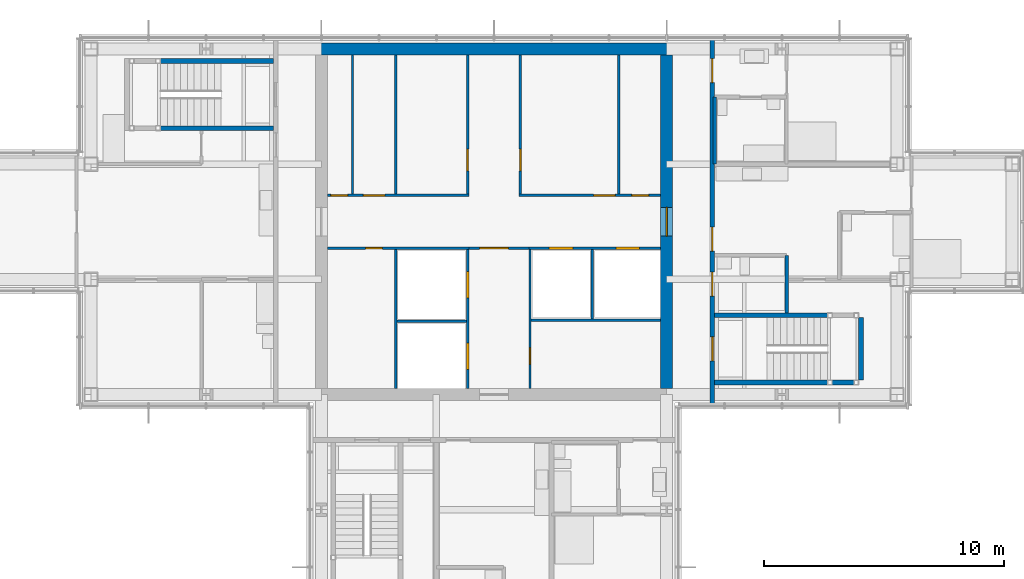
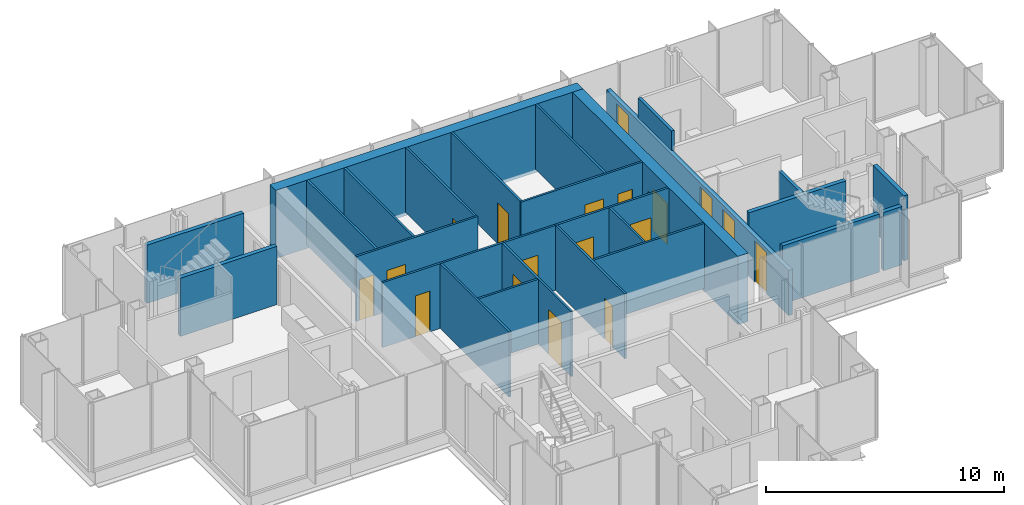
# One storey, part 11 of 15: 27 walls, 18 doors, 18 openings.
"""IFC4 building model written with IfcOpenShell, lengths in metres."""

from ifc_helpers import new_model, si_unit, direction, frame, frame_2d, origin, place, context, subcontext, project, spatial, rectangle, extrude, material, layer, layer_set, type_object, element, fill, save


model = new_model("IFC4")

# Units and contexts
model_context = context("Model", 3, precision=1e-05, world=origin(), true_north=direction((0.0, 1.0)))
body_context = subcontext(model_context, "Body", "Model", "MODEL_VIEW")
ifc_project = project(units=[si_unit("LENGTHUNIT", "METRE"), si_unit("AREAUNIT", "SQUARE_METRE"), si_unit("VOLUMEUNIT", "CUBIC_METRE"), si_unit("PLANEANGLEUNIT", "RADIAN"), si_unit("MASSUNIT", "GRAM", prefix="KILO")], contexts=[model_context])

# Site, building, storey
site_placement = place(None, origin())
site = spatial("IfcSite", under=ifc_project, at=site_placement, CompositionType="ELEMENT")
building_placement = place(site_placement, origin())
building = spatial("IfcBuilding", under=site, at=building_placement, Name="Kvirike Care Tower", CompositionType="ELEMENT")
storey_placement = place(building_placement, frame((0.0, 0.0, 219.0)))
storey = spatial("IfcBuildingStorey", under=building, at=storey_placement, Name="L60", CompositionType="ELEMENT", Elevation=219.0)

# Walls
ifc_material_1 = material(Name="Moisture-resistant board partition", Category="gypsum")
ifc_layer_1 = layer(ifc_material_1, 0.14990234375)
ifc_layer_set_1 = layer_set([ifc_layer_1], Name="BATHROOM WALL 150")
wall_type_1 = type_object("IfcWallType", Name="BATHROOM WALL 150", PredefinedType="PARTITIONING", material=ifc_layer_set_1)
wall_1_placement = place(storey_placement, frame((33.800048828125, 32.199951171875, 0.0), z_axis=(0.0, 0.0, 1.0), x_axis=(0.0, 1.0, 0.0)))
element("IfcWall", 1, at=wall_1_placement, inside=storey, type_object=wall_type_1, Name="Bathroom Wall 150 L60", PredefinedType="PARTITIONING", context=body_context, shape_type="SweptSolid", body=[
    extrude(rectangle(XDim=2.400146484375, YDim=0.14990234375, at=frame_2d((1.2001953125, 0.0))), origin(), (0.0, 0.0, 1.0), 2.550048828125),
])
wall_2_placement = place(storey_placement, frame((30.800048828125, 38.39990234375, 0.0), z_axis=(0.0, 0.0, 1.0), x_axis=(0.0, 1.0, 0.0)))
element("IfcWall", 2, at=wall_2_placement, inside=storey, type_object=wall_type_1, Name="Bathroom Wall 150 L60", PredefinedType="PARTITIONING", context=body_context, shape_type="SweptSolid", body=[
    extrude(rectangle(XDim=2.800048828125, YDim=0.14990234375, at=frame_2d((1.39990234375, 0.0))), origin(), (0.0, 0.0, 1.0), 3.330078125),
])
ifc_material_2 = material(Name="Concrete C40/50", Category="concrete")
ifc_layer_2 = layer(ifc_material_2, 0.5)
ifc_layer_set_2 = layer_set([ifc_layer_2], Name="CORE WALL 500 C40-50")
wall_type_2 = type_object("IfcWallType", Name="CORE WALL 500 C40-50", PredefinedType="SHEAR", material=ifc_layer_set_2)
wall_3_placement = place(storey_placement, frame((29.050048828125, 43.199951171875, -0.169921875), z_axis=(0.0, 0.0, 1.0), x_axis=(-1.0, 0.0, 0.0)))
element("IfcWall", 3, at=wall_3_placement, inside=storey, type_object=wall_type_2, Name="Core wall N L60", PredefinedType="SHEAR", context=body_context, shape_type="SweptSolid", body=[
    extrude(rectangle(XDim=14.900146484375, YDim=0.5, at=frame_2d((7.4501953125, 0.0))), origin(), (0.0, 0.0, 1.0), 3.5),
])

# Wall, opening, door
wall_4_placement = place(storey_placement, frame((28.800048828125, 29.050048828125, -0.169921875), z_axis=(0.0, 0.0, 1.0), x_axis=(0.0, 1.0, 0.0)))
wall_4 = element("IfcWall", 4, at=wall_4_placement, inside=storey, type_object=wall_type_2, Name="Core wall E L60", PredefinedType="SHEAR", context=body_context, shape_type="SweptSolid", body=[
    extrude(rectangle(XDim=13.89990234375, YDim=0.5, at=frame_2d((6.949951171875, 0.0))), origin(), (0.0, 0.0, 1.0), 3.5),
])
opening_1_placement = place(wall_4_placement, frame((6.35009765625, 0.0, 0.169921875)))
opening_1 = element("IfcOpeningElement", 5, at=opening_1_placement, cuts=wall_4, Name="Opening 60-039", PredefinedType="OPENING", context=body_context, shape_type="SweptSolid", body=[
    extrude(rectangle(XDim=1.199951171875, YDim=2.10009765625, at=frame_2d((0.60009765625, 1.050048828125))), frame((0.0, 0.260498046875, 0.0), z_axis=(0.0, -1.0, 0.0), x_axis=(1.0, 0.0, 0.0)), (0.0, 0.0, 1.0), 0.52099609375),
])
ifc_material_3 = material(Name="Timber door set", Category="wood")
door_type_1 = type_object("IfcDoorType", Name="CORE DOOR 1200", OperationType="SINGLE_SWING_LEFT", PredefinedType="DOOR", material=ifc_material_3)
door_1_placement = place(opening_1_placement, origin())
door_1 = element("IfcDoor", 6, at=door_1_placement, inside=storey, type_object=door_type_1, Name="Core door E L60", OperationType="SINGLE_SWING_LEFT", OverallHeight=2.10009765625, OverallWidth=1.199951171875, PredefinedType="DOOR", context=body_context, shape_type="SweptSolid", body=[
    extrude(rectangle(XDim=1.199951171875, YDim=2.10009765625, at=frame_2d((0.60009765625, 1.050048828125))), frame((0.0, 0.02685546875, 0.0), z_axis=(0.0, -1.0, 0.0), x_axis=(1.0, 0.0, 0.0)), (0.0, 0.0, 1.0), 0.053955078125),
])
fill(opening_1, door_1)

# Wall, openings, doors
ifc_material_4 = material(Name="Plasterboard corridor wall", Category="gypsum")
ifc_layer_3 = layer(ifc_material_4, 0.199951171875)
ifc_layer_set_3 = layer_set([ifc_layer_3], Name="CORRIDOR WALL 200")
wall_type_3 = type_object("IfcWallType", Name="CORRIDOR WALL 200", PredefinedType="PARTITIONING", material=ifc_layer_set_3)
wall_5_placement = place(storey_placement, frame((30.699951171875, 28.344970703125, 0.0), z_axis=(0.0, 0.0, 1.0), x_axis=(0.0, 1.0, 0.0)))
wall_5 = element("IfcWall", 7, at=wall_5_placement, inside=storey, type_object=wall_type_3, Name="Corridor Wall 200 L60", PredefinedType="PARTITIONING", context=body_context, shape_type="SweptSolid", body=[
    extrude(rectangle(XDim=15.31005859375, YDim=0.199951171875, at=frame_2d((7.655029296875, 0.0))), origin(), (0.0, 0.0, 1.0), 2.320068359375),
])
opening_2_placement = place(wall_5_placement, frame((1.85498046875, 0.0, 0.0)))
opening_2 = element("IfcOpeningElement", 8, at=opening_2_placement, cuts=wall_5, Name="Opening 60-020", PredefinedType="OPENING", context=body_context, shape_type="SweptSolid", body=[
    extrude(rectangle(XDim=1.0, YDim=2.10009765625, at=frame_2d((0.5, 1.050048828125))), frame((0.0, 0.110595703125, 0.0), z_axis=(0.0, -1.0, 0.0), x_axis=(1.0, 0.0, 0.0)), (0.0, 0.0, 1.0), 0.220947265625),
])
opening_3_placement = place(wall_5_placement, frame((4.554931640625, 0.0, 0.0)))
opening_3 = element("IfcOpeningElement", 9, at=opening_3_placement, cuts=wall_5, Name="Opening 60-021", PredefinedType="OPENING", context=body_context, shape_type="SweptSolid", body=[
    extrude(rectangle(XDim=1.0, YDim=2.10009765625, at=frame_2d((0.5, 1.050048828125))), frame((0.0, 0.110595703125, 0.0), z_axis=(0.0, -1.0, 0.0), x_axis=(1.0, 0.0, 0.0)), (0.0, 0.0, 1.0), 0.220947265625),
])
opening_4_placement = place(wall_5_placement, frame((6.429931640625, 0.0, 0.0)))
opening_4 = element("IfcOpeningElement", 10, at=opening_4_placement, cuts=wall_5, Name="Opening 60-022", PredefinedType="OPENING", context=body_context, shape_type="SweptSolid", body=[
    extrude(rectangle(XDim=1.0, YDim=2.10009765625, at=frame_2d((0.5, 1.050048828125))), frame((0.0, 0.110595703125, 0.0), z_axis=(0.0, -1.0, 0.0), x_axis=(1.0, 0.0, 0.0)), (0.0, 0.0, 1.0), 0.220947265625),
])
opening_5_placement = place(wall_5_placement, frame((13.455078125, 0.0, 0.0)))
opening_5 = element("IfcOpeningElement", 11, at=opening_5_placement, cuts=wall_5, Name="Opening 60-023", PredefinedType="OPENING", context=body_context, shape_type="SweptSolid", body=[
    extrude(rectangle(XDim=1.0, YDim=2.10009765625, at=frame_2d((0.5, 1.050048828125))), frame((0.0, 0.110595703125, 0.0), z_axis=(0.0, -1.0, 0.0), x_axis=(1.0, 0.0, 0.0)), (0.0, 0.0, 1.0), 0.220947265625),
])
ifc_material_5 = material(Name="Timber door set", Category="wood")
door_type_2 = type_object("IfcDoorType", Name="FLAT ENTRANCE DOOR 1000", OperationType="SINGLE_SWING_LEFT", PredefinedType="DOOR", material=ifc_material_5)
door_2_placement = place(opening_4_placement, frame((1.0, 0.0, 0.0), z_axis=(0.0, 0.0, 1.0), x_axis=(-1.0, 0.0, 0.0)))
door_2 = element("IfcDoor", 12, at=door_2_placement, inside=storey, type_object=door_type_2, Name="One-bedroom apartment entrance", OperationType="SINGLE_SWING_LEFT", OverallHeight=2.10009765625, OverallWidth=1.0, PredefinedType="DOOR", context=body_context, shape_type="SweptSolid", body=[
    extrude(rectangle(XDim=1.0, YDim=2.10009765625, at=frame_2d((0.5, 1.050048828125))), frame((0.0, 0.02685546875, 0.0), z_axis=(0.0, -1.0, 0.0), x_axis=(1.0, 0.0, 0.0)), (0.0, 0.0, 1.0), 0.053955078125),
])
fill(opening_4, door_2)
door_3_placement = place(opening_5_placement, frame((1.0, 0.0, 0.0), z_axis=(0.0, 0.0, 1.0), x_axis=(-1.0, 0.0, 0.0)))
door_3 = element("IfcDoor", 13, at=door_3_placement, inside=storey, type_object=door_type_2, Name="Studio apartment entrance", OperationType="SINGLE_SWING_RIGHT", OverallHeight=2.10009765625, OverallWidth=1.0, PredefinedType="DOOR", context=body_context, shape_type="SweptSolid", body=[
    extrude(rectangle(XDim=1.0, YDim=2.10009765625, at=frame_2d((0.5, 1.050048828125))), frame((0.0, 0.02685546875, 0.0), z_axis=(0.0, -1.0, 0.0), x_axis=(1.0, 0.0, 0.0)), (0.0, 0.0, 1.0), 0.053955078125),
])
fill(opening_5, door_3)
ifc_material_6 = material(Name="Timber door set", Category="wood")
door_type_3 = type_object("IfcDoorType", Name="STAIR DOOR 1000", OperationType="SINGLE_SWING_LEFT", PredefinedType="DOOR", material=ifc_material_6)
door_4_placement = place(opening_2_placement, frame((1.0, 0.0, 0.0), z_axis=(0.0, 0.0, 1.0), x_axis=(-1.0, 0.0, 0.0)))
door_4 = element("IfcDoor", 14, at=door_4_placement, inside=storey, type_object=door_type_3, Name="Stair 2 door", OperationType="SINGLE_SWING_LEFT", OverallHeight=2.10009765625, OverallWidth=1.0, PredefinedType="DOOR", context=body_context, shape_type="SweptSolid", body=[
    extrude(rectangle(XDim=1.0, YDim=2.10009765625, at=frame_2d((0.5, 1.050048828125))), frame((0.0, 0.031982421875, 0.0), z_axis=(0.0, -1.0, 0.0), x_axis=(1.0, 0.0, 0.0)), (0.0, 0.0, 1.0), 0.06396484375),
])
fill(opening_2, door_4)
ifc_material_7 = material(Name="Timber door set", Category="wood")
door_type_4 = type_object("IfcDoorType", Name="WC DOOR 1000", OperationType="SINGLE_SWING_LEFT", PredefinedType="DOOR", material=ifc_material_7)
door_5_placement = place(opening_3_placement, frame((1.0, 0.0, 0.0), z_axis=(0.0, 0.0, 1.0), x_axis=(-1.0, 0.0, 0.0)))
door_5 = element("IfcDoor", 15, at=door_5_placement, inside=storey, type_object=door_type_4, Name="Accessible WC door", OperationType="SINGLE_SWING_LEFT", OverallHeight=2.10009765625, OverallWidth=1.0, PredefinedType="DOOR", context=body_context, shape_type="SweptSolid", body=[
    extrude(rectangle(XDim=1.0, YDim=2.10009765625, at=frame_2d((0.5, 1.050048828125))), frame((0.0, 0.02685546875, 0.0), z_axis=(0.0, -1.0, 0.0), x_axis=(1.0, 0.0, 0.0)), (0.0, 0.0, 1.0), 0.053955078125),
])
fill(opening_3, door_5)

# Walls
ifc_material_8 = material(Name="Gypsum shaft wall system", Category="gypsum")
ifc_layer_4 = layer(ifc_material_8, 0.10009765625)
ifc_layer_set_4 = layer_set([ifc_layer_4], Name="SHAFT WALL 100")
wall_type_4 = type_object("IfcWallType", Name="SHAFT WALL 100", PredefinedType="SOLIDWALL", material=ifc_layer_set_4)
for number, where, z_axis, x_axis, name in (
    (16, (15.699951171875, 37.14990234375, 0.0), (0.0, 0.0, 1.0), (0.0, 1.0, 0.0), "Shaft Wall 100 L60"),
    (17, (26.800048828125, 37.14990234375, 0.0), (0.0, 0.0, 1.0), (0.0, 1.0, 0.0), "Shaft Wall 100 L60"),
):
    element("IfcWall", number, at=place(storey_placement, frame(where, z_axis=z_axis, x_axis=x_axis)), inside=storey, type_object=wall_type_4, Name=name, PredefinedType="SOLIDWALL", context=body_context, shape_type="SweptSolid", body=[
        extrude(rectangle(XDim=5.800048828125, YDim=0.10009765625, at=frame_2d((2.89990234375, 0.0))), origin(), (0.0, 0.0, 1.0), 3.330078125),
    ])

# Wall, openings, doors
wall_6_placement = place(storey_placement, frame((20.5, 29.050048828125, 0.0), z_axis=(0.0, 0.0, 1.0), x_axis=(0.0, 1.0, 0.0)))
wall_6 = element("IfcWall", 18, at=wall_6_placement, inside=storey, type_object=wall_type_4, Name="Shaft Wall 100 L60", PredefinedType="SOLIDWALL", context=body_context, shape_type="SweptSolid", body=[
    extrude(rectangle(XDim=5.800048828125, YDim=0.10009765625, at=frame_2d((2.89990234375, 0.0))), origin(), (0.0, 0.0, 1.0), 3.330078125),
])
opening_6_placement = place(wall_6_placement, frame((0.800048828125, 0.0, 0.0)))
opening_6 = element("IfcOpeningElement", 19, at=opening_6_placement, cuts=wall_6, Name="Opening 60-024", PredefinedType="OPENING", context=body_context, shape_type="SweptSolid", body=[
    extrude(rectangle(XDim=1.10009765625, YDim=2.300048828125, at=frame_2d((0.550048828125, 1.14990234375))), frame((0.0, 0.060546875, 0.0), z_axis=(0.0, -1.0, 0.0), x_axis=(1.0, 0.0, 0.0)), (0.0, 0.0, 1.0), 0.12109375),
])
opening_7_placement = place(wall_6_placement, frame((3.77490234375, 0.0, 0.0)))
opening_7 = element("IfcOpeningElement", 20, at=opening_7_placement, cuts=wall_6, Name="Opening 60-025", PredefinedType="OPENING", context=body_context, shape_type="SweptSolid", body=[
    extrude(rectangle(XDim=1.10009765625, YDim=2.300048828125, at=frame_2d((0.550048828125, 1.14990234375))), frame((0.0, 0.060546875, 0.0), z_axis=(0.0, -1.0, 0.0), x_axis=(1.0, 0.0, 0.0)), (0.0, 0.0, 1.0), 0.12109375),
])
ifc_material_9 = material(Name="Aluminium door frame", Category="aluminium")
door_type_5 = type_object("IfcDoorType", Name="FIRE-FIGHTING LIFT LANDING DOOR 1100", OperationType="SLIDING_TO_LEFT", PredefinedType="DOOR", material=ifc_material_9)
door_6_placement = place(opening_6_placement, origin())
door_6 = element("IfcDoor", 21, at=door_6_placement, inside=storey, type_object=door_type_5, Name="Lift FF1 landing door", OperationType="SLIDING_TO_LEFT", OverallHeight=2.300048828125, OverallWidth=1.10009765625, PredefinedType="DOOR", context=body_context, shape_type="SweptSolid", body=[
    extrude(rectangle(XDim=1.10009765625, YDim=2.300048828125, at=frame_2d((0.550048828125, 1.14990234375))), frame((0.0, 0.0498046875, 0.0), z_axis=(0.0, -1.0, 0.0), x_axis=(1.0, 0.0, 0.0)), (0.0, 0.0, 1.0), 0.099609375),
])
fill(opening_6, door_6)
door_7_placement = place(opening_7_placement, origin())
door_7 = element("IfcDoor", 22, at=door_7_placement, inside=storey, type_object=door_type_5, Name="Lift FF2 landing door", OperationType="SLIDING_TO_LEFT", OverallHeight=2.300048828125, OverallWidth=1.10009765625, PredefinedType="DOOR", context=body_context, shape_type="SweptSolid", body=[
    extrude(rectangle(XDim=1.10009765625, YDim=2.300048828125, at=frame_2d((0.550048828125, 1.14990234375))), frame((0.0, 0.0498046875, 0.0), z_axis=(0.0, -1.0, 0.0), x_axis=(1.0, 0.0, 0.0)), (0.0, 0.0, 1.0), 0.099609375),
])
fill(opening_7, door_7)

# Wall, opening, door
wall_7_placement = place(storey_placement, frame((20.5, 37.14990234375, 0.0), z_axis=(0.0, 0.0, 1.0), x_axis=(0.0, 1.0, 0.0)))
wall_7 = element("IfcWall", 23, at=wall_7_placement, inside=storey, type_object=wall_type_4, Name="Shaft Wall 100 L60", PredefinedType="SOLIDWALL", context=body_context, shape_type="SweptSolid", body=[
    extrude(rectangle(XDim=5.800048828125, YDim=0.10009765625, at=frame_2d((2.89990234375, 0.0))), origin(), (0.0, 0.0, 1.0), 3.330078125),
])
opening_8_placement = place(wall_7_placement, frame((0.97509765625, 0.0, 0.0)))
opening_8 = element("IfcOpeningElement", 24, at=opening_8_placement, cuts=wall_7, Name="Opening 60-026", PredefinedType="OPENING", context=body_context, shape_type="SweptSolid", body=[
    extrude(rectangle(XDim=0.89990234375, YDim=2.10009765625, at=frame_2d((0.449951171875, 1.050048828125))), frame((0.0, 0.060546875, 0.0), z_axis=(0.0, -1.0, 0.0), x_axis=(1.0, 0.0, 0.0)), (0.0, 0.0, 1.0), 0.12109375),
])
ifc_material_10 = material(Name="Timber door set", Category="wood")
door_type_6 = type_object("IfcDoorType", Name="STORE DOOR 900", OperationType="SINGLE_SWING_LEFT", PredefinedType="DOOR", material=ifc_material_10)
door_8_placement = place(opening_8_placement, origin())
door_8 = element("IfcDoor", 25, at=door_8_placement, inside=storey, type_object=door_type_6, Name="Staff room door", OperationType="SINGLE_SWING_RIGHT", OverallHeight=2.10009765625, OverallWidth=0.89990234375, PredefinedType="DOOR", context=body_context, shape_type="SweptSolid", body=[
    extrude(rectangle(XDim=0.89990234375, YDim=2.10009765625, at=frame_2d((0.449951171875, 1.050048828125))), frame((0.0, 0.02685546875, 0.0), z_axis=(0.0, -1.0, 0.0), x_axis=(1.0, 0.0, 0.0)), (0.0, 0.0, 1.0), 0.053955078125),
])
fill(opening_8, door_8)

wall_8_placement = place(storey_placement, frame((22.699951171875, 37.14990234375, 0.0), z_axis=(0.0, 0.0, 1.0), x_axis=(0.0, 1.0, 0.0)))
wall_8 = element("IfcWall", 26, at=wall_8_placement, inside=storey, type_object=wall_type_4, Name="Shaft Wall 100 L60", PredefinedType="SOLIDWALL", context=body_context, shape_type="SweptSolid", body=[
    extrude(rectangle(XDim=5.800048828125, YDim=0.10009765625, at=frame_2d((2.89990234375, 0.0))), origin(), (0.0, 0.0, 1.0), 3.330078125),
])
opening_9_placement = place(wall_8_placement, frame((0.97509765625, 0.0, 0.0)))
opening_9 = element("IfcOpeningElement", 27, at=opening_9_placement, cuts=wall_8, Name="Opening 60-027", PredefinedType="OPENING", context=body_context, shape_type="SweptSolid", body=[
    extrude(rectangle(XDim=0.89990234375, YDim=2.10009765625, at=frame_2d((0.449951171875, 1.050048828125))), frame((0.0, 0.060546875, 0.0), z_axis=(0.0, -1.0, 0.0), x_axis=(1.0, 0.0, 0.0)), (0.0, 0.0, 1.0), 0.12109375),
])
door_9_placement = place(opening_9_placement, frame((0.89990234375, 0.0, 0.0), z_axis=(0.0, 0.0, 1.0), x_axis=(-1.0, 0.0, 0.0)))
door_9 = element("IfcDoor", 28, at=door_9_placement, inside=storey, type_object=door_type_6, Name="Records store door", OperationType="SINGLE_SWING_LEFT", OverallHeight=2.10009765625, OverallWidth=0.89990234375, PredefinedType="DOOR", context=body_context, shape_type="SweptSolid", body=[
    extrude(rectangle(XDim=0.89990234375, YDim=2.10009765625, at=frame_2d((0.449951171875, 1.050048828125))), frame((0.0, 0.02685546875, 0.0), z_axis=(0.0, -1.0, 0.0), x_axis=(1.0, 0.0, 0.0)), (0.0, 0.0, 1.0), 0.053955078125),
])
fill(opening_9, door_9)

wall_9_placement = place(storey_placement, frame((23.10009765625, 29.050048828125, 0.0), z_axis=(0.0, 0.0, 1.0), x_axis=(0.0, 1.0, 0.0)))
wall_9 = element("IfcWall", 29, at=wall_9_placement, inside=storey, type_object=wall_type_4, Name="Shaft Wall 100 L60", PredefinedType="SOLIDWALL", context=body_context, shape_type="SweptSolid", body=[
    extrude(rectangle(XDim=5.800048828125, YDim=0.10009765625, at=frame_2d((2.89990234375, 0.0))), origin(), (0.0, 0.0, 1.0), 3.330078125),
])
opening_10_placement = place(wall_9_placement, frame((1.0, 0.0, 0.0)))
opening_10 = element("IfcOpeningElement", 30, at=opening_10_placement, cuts=wall_9, Name="Opening 60-028", PredefinedType="OPENING", context=body_context, shape_type="SweptSolid", body=[
    extrude(rectangle(XDim=0.699951171875, YDim=2.10009765625, at=frame_2d((0.35009765625, 1.050048828125))), frame((0.0, 0.060546875, 0.0), z_axis=(0.0, -1.0, 0.0), x_axis=(1.0, 0.0, 0.0)), (0.0, 0.0, 1.0), 0.12109375),
])
ifc_material_11 = material(Name="Timber door set", Category="wood")
door_type_7 = type_object("IfcDoorType", Name="RISER DOOR 700", OperationType="SINGLE_SWING_LEFT", PredefinedType="DOOR", material=ifc_material_11)
door_10_placement = place(opening_10_placement, origin())
door_10 = element("IfcDoor", 31, at=door_10_placement, inside=storey, type_object=door_type_7, Name="Riser door", OperationType="SINGLE_SWING_RIGHT", OverallHeight=2.10009765625, OverallWidth=0.699951171875, PredefinedType="DOOR", context=body_context, shape_type="SweptSolid", body=[
    extrude(rectangle(XDim=0.699951171875, YDim=2.10009765625, at=frame_2d((0.35009765625, 1.050048828125))), frame((0.0, 0.02685546875, 0.0), z_axis=(0.0, -1.0, 0.0), x_axis=(1.0, 0.0, 0.0)), (0.0, 0.0, 1.0), 0.053955078125),
])
fill(opening_10, door_10)

wall_10_placement = place(storey_placement, frame((14.64990234375, 34.89990234375, 0.0), z_axis=(0.0, 0.0, 1.0), x_axis=(1.0, 0.0, 0.0)))
wall_10 = element("IfcWall", 32, at=wall_10_placement, inside=storey, type_object=wall_type_4, Name="Shaft Wall 100 L60", PredefinedType="SOLIDWALL", context=body_context, shape_type="SweptSolid", body=[
    extrude(rectangle(XDim=5.900146484375, YDim=0.10009765625, at=frame_2d((2.9501953125, 0.0))), origin(), (0.0, 0.0, 1.0), 3.330078125),
])
opening_11_placement = place(wall_10_placement, frame((1.60009765625, 0.0, 0.0)))
opening_11 = element("IfcOpeningElement", 33, at=opening_11_placement, cuts=wall_10, Name="Opening 60-029", PredefinedType="OPENING", context=body_context, shape_type="SweptSolid", body=[
    extrude(rectangle(XDim=0.699951171875, YDim=2.10009765625, at=frame_2d((0.35009765625, 1.050048828125))), frame((0.0, 0.060546875, 0.0), z_axis=(0.0, -1.0, 0.0), x_axis=(1.0, 0.0, 0.0)), (0.0, 0.0, 1.0), 0.12109375),
])
door_11_placement = place(opening_11_placement, frame((0.699951171875, 0.0, 0.0), z_axis=(0.0, 0.0, 1.0), x_axis=(-1.0, 0.0, 0.0)))
door_11 = element("IfcDoor", 34, at=door_11_placement, inside=storey, type_object=door_type_7, Name="Riser door", OperationType="SINGLE_SWING_RIGHT", OverallHeight=2.10009765625, OverallWidth=0.699951171875, PredefinedType="DOOR", context=body_context, shape_type="SweptSolid", body=[
    extrude(rectangle(XDim=0.699951171875, YDim=2.10009765625, at=frame_2d((0.35009765625, 1.050048828125))), frame((0.0, 0.02685546875, 0.0), z_axis=(0.0, -1.0, 0.0), x_axis=(1.0, 0.0, 0.0)), (0.0, 0.0, 1.0), 0.053955078125),
])
fill(opening_11, door_11)

# Wall, openings, doors
wall_11_placement = place(storey_placement, frame((23.050048828125, 34.89990234375, 0.0), z_axis=(0.0, 0.0, 1.0), x_axis=(1.0, 0.0, 0.0)))
wall_11 = element("IfcWall", 35, at=wall_11_placement, inside=storey, type_object=wall_type_4, Name="Shaft Wall 100 L60", PredefinedType="SOLIDWALL", context=body_context, shape_type="SweptSolid", body=[
    extrude(rectangle(XDim=5.5, YDim=0.10009765625, at=frame_2d((2.75, 0.0))), origin(), (0.0, 0.0, 1.0), 3.330078125),
])
opening_12_placement = place(wall_11_placement, frame((0.85009765625, 0.0, 0.0)))
opening_12 = element("IfcOpeningElement", 36, at=opening_12_placement, cuts=wall_11, Name="Opening 60-030", PredefinedType="OPENING", context=body_context, shape_type="SweptSolid", body=[
    extrude(rectangle(XDim=1.0, YDim=2.10009765625, at=frame_2d((0.5, 1.050048828125))), frame((0.0, 0.060546875, 0.0), z_axis=(0.0, -1.0, 0.0), x_axis=(1.0, 0.0, 0.0)), (0.0, 0.0, 1.0), 0.12109375),
])
opening_13_placement = place(wall_11_placement, frame((3.625, 0.0, 0.0)))
opening_13 = element("IfcOpeningElement", 37, at=opening_13_placement, cuts=wall_11, Name="Opening 60-031", PredefinedType="OPENING", context=body_context, shape_type="SweptSolid", body=[
    extrude(rectangle(XDim=1.0, YDim=2.10009765625, at=frame_2d((0.5, 1.050048828125))), frame((0.0, 0.060546875, 0.0), z_axis=(0.0, -1.0, 0.0), x_axis=(1.0, 0.0, 0.0)), (0.0, 0.0, 1.0), 0.12109375),
])
ifc_material_12 = material(Name="Aluminium door frame", Category="aluminium")
door_type_8 = type_object("IfcDoorType", Name="LIFT LANDING DOOR 1000", OperationType="SLIDING_TO_LEFT", PredefinedType="DOOR", material=ifc_material_12)
door_12_placement = place(opening_12_placement, origin())
door_12 = element("IfcDoor", 38, at=door_12_placement, inside=storey, type_object=door_type_8, Name="Lift P5 landing door", OperationType="SLIDING_TO_LEFT", OverallHeight=2.10009765625, OverallWidth=1.0, PredefinedType="DOOR", context=body_context, shape_type="SweptSolid", body=[
    extrude(rectangle(XDim=1.0, YDim=2.10009765625, at=frame_2d((0.5, 1.050048828125))), frame((0.0, 0.0498046875, 0.0), z_axis=(0.0, -1.0, 0.0), x_axis=(1.0, 0.0, 0.0)), (0.0, 0.0, 1.0), 0.099609375),
])
fill(opening_12, door_12)
door_13_placement = place(opening_13_placement, origin())
door_13 = element("IfcDoor", 39, at=door_13_placement, inside=storey, type_object=door_type_8, Name="Lift P6 landing door", OperationType="SLIDING_TO_LEFT", OverallHeight=2.10009765625, OverallWidth=1.0, PredefinedType="DOOR", context=body_context, shape_type="SweptSolid", body=[
    extrude(rectangle(XDim=1.0, YDim=2.10009765625, at=frame_2d((0.5, 1.050048828125))), frame((0.0, 0.0498046875, 0.0), z_axis=(0.0, -1.0, 0.0), x_axis=(1.0, 0.0, 0.0)), (0.0, 0.0, 1.0), 0.099609375),
])
fill(opening_13, door_13)

wall_12_placement = place(storey_placement, frame((14.64990234375, 37.10009765625, 0.0), z_axis=(0.0, 0.0, 1.0), x_axis=(1.0, 0.0, 0.0)))
wall_12 = element("IfcWall", 40, at=wall_12_placement, inside=storey, type_object=wall_type_4, Name="Shaft Wall 100 L60", PredefinedType="SOLIDWALL", context=body_context, shape_type="SweptSolid", body=[
    extrude(rectangle(XDim=5.900146484375, YDim=0.10009765625, at=frame_2d((2.9501953125, 0.0))), origin(), (0.0, 0.0, 1.0), 3.330078125),
])
opening_14_placement = place(wall_12_placement, frame((0.14990234375, 0.0, 0.0)))
opening_14 = element("IfcOpeningElement", 41, at=opening_14_placement, cuts=wall_12, Name="Opening 60-032", PredefinedType="OPENING", context=body_context, shape_type="SweptSolid", body=[
    extrude(rectangle(XDim=0.699951171875, YDim=2.10009765625, at=frame_2d((0.35009765625, 1.050048828125))), frame((0.0, 0.060546875, 0.0), z_axis=(0.0, -1.0, 0.0), x_axis=(1.0, 0.0, 0.0)), (0.0, 0.0, 1.0), 0.12109375),
])
opening_15_placement = place(wall_12_placement, frame((1.5, 0.0, 0.0)))
opening_15 = element("IfcOpeningElement", 42, at=opening_15_placement, cuts=wall_12, Name="Opening 60-033", PredefinedType="OPENING", context=body_context, shape_type="SweptSolid", body=[
    extrude(rectangle(XDim=0.89990234375, YDim=2.10009765625, at=frame_2d((0.449951171875, 1.050048828125))), frame((0.0, 0.060546875, 0.0), z_axis=(0.0, -1.0, 0.0), x_axis=(1.0, 0.0, 0.0)), (0.0, 0.0, 1.0), 0.12109375),
])
door_14_placement = place(opening_14_placement, origin())
door_14 = element("IfcDoor", 43, at=door_14_placement, inside=storey, type_object=door_type_7, Name="Riser door", OperationType="SINGLE_SWING_RIGHT", OverallHeight=2.10009765625, OverallWidth=0.699951171875, PredefinedType="DOOR", context=body_context, shape_type="SweptSolid", body=[
    extrude(rectangle(XDim=0.699951171875, YDim=2.10009765625, at=frame_2d((0.35009765625, 1.050048828125))), frame((0.0, 0.02685546875, 0.0), z_axis=(0.0, -1.0, 0.0), x_axis=(1.0, 0.0, 0.0)), (0.0, 0.0, 1.0), 0.053955078125),
])
fill(opening_14, door_14)
door_15_placement = place(opening_15_placement, origin())
door_15 = element("IfcDoor", 44, at=door_15_placement, inside=storey, type_object=door_type_6, Name="Linen store door", OperationType="SINGLE_SWING_LEFT", OverallHeight=2.10009765625, OverallWidth=0.89990234375, PredefinedType="DOOR", context=body_context, shape_type="SweptSolid", body=[
    extrude(rectangle(XDim=0.89990234375, YDim=2.10009765625, at=frame_2d((0.449951171875, 1.050048828125))), frame((0.0, 0.02685546875, 0.0), z_axis=(0.0, -1.0, 0.0), x_axis=(1.0, 0.0, 0.0)), (0.0, 0.0, 1.0), 0.053955078125),
])
fill(opening_15, door_15)

wall_13_placement = place(storey_placement, frame((22.64990234375, 37.10009765625, 0.0), z_axis=(0.0, 0.0, 1.0), x_axis=(1.0, 0.0, 0.0)))
wall_13 = element("IfcWall", 45, at=wall_13_placement, inside=storey, type_object=wall_type_4, Name="Shaft Wall 100 L60", PredefinedType="SOLIDWALL", context=body_context, shape_type="SweptSolid", body=[
    extrude(rectangle(XDim=5.900146484375, YDim=0.10009765625, at=frame_2d((2.9501953125, 0.0))), origin(), (0.0, 0.0, 1.0), 3.330078125),
])
opening_16_placement = place(wall_13_placement, frame((3.10009765625, 0.0, 0.0)))
opening_16 = element("IfcOpeningElement", 46, at=opening_16_placement, cuts=wall_13, Name="Opening 60-034", PredefinedType="OPENING", context=body_context, shape_type="SweptSolid", body=[
    extrude(rectangle(XDim=0.89990234375, YDim=2.10009765625, at=frame_2d((0.449951171875, 1.050048828125))), frame((0.0, 0.060546875, 0.0), z_axis=(0.0, -1.0, 0.0), x_axis=(1.0, 0.0, 0.0)), (0.0, 0.0, 1.0), 0.12109375),
])
opening_17_placement = place(wall_13_placement, frame((4.699951171875, 0.0, 0.0)))
opening_17 = element("IfcOpeningElement", 47, at=opening_17_placement, cuts=wall_13, Name="Opening 60-035", PredefinedType="OPENING", context=body_context, shape_type="SweptSolid", body=[
    extrude(rectangle(XDim=0.699951171875, YDim=2.10009765625, at=frame_2d((0.35009765625, 1.050048828125))), frame((0.0, 0.060546875, 0.0), z_axis=(0.0, -1.0, 0.0), x_axis=(1.0, 0.0, 0.0)), (0.0, 0.0, 1.0), 0.12109375),
])
door_16_placement = place(opening_17_placement, origin())
door_16 = element("IfcDoor", 48, at=door_16_placement, inside=storey, type_object=door_type_7, Name="Riser door", OperationType="SINGLE_SWING_LEFT", OverallHeight=2.10009765625, OverallWidth=0.699951171875, PredefinedType="DOOR", context=body_context, shape_type="SweptSolid", body=[
    extrude(rectangle(XDim=0.699951171875, YDim=2.10009765625, at=frame_2d((0.35009765625, 1.050048828125))), frame((0.0, 0.02685546875, 0.0), z_axis=(0.0, -1.0, 0.0), x_axis=(1.0, 0.0, 0.0)), (0.0, 0.0, 1.0), 0.053955078125),
])
fill(opening_17, door_16)
door_17_placement = place(opening_16_placement, origin())
door_17 = element("IfcDoor", 49, at=door_17_placement, inside=storey, type_object=door_type_6, Name="Records and archive store door", OperationType="SINGLE_SWING_LEFT", OverallHeight=2.10009765625, OverallWidth=0.89990234375, PredefinedType="DOOR", context=body_context, shape_type="SweptSolid", body=[
    extrude(rectangle(XDim=0.89990234375, YDim=2.10009765625, at=frame_2d((0.449951171875, 1.050048828125))), frame((0.0, 0.02685546875, 0.0), z_axis=(0.0, -1.0, 0.0), x_axis=(1.0, 0.0, 0.0)), (0.0, 0.0, 1.0), 0.053955078125),
])
fill(opening_16, door_17)

# Wall, opening, door
wall_14_placement = place(storey_placement, frame((20.550048828125, 34.89990234375, 0.0), z_axis=(0.0, 0.0, 1.0), x_axis=(1.0, 0.0, 0.0)))
wall_14 = element("IfcWall", 50, at=wall_14_placement, inside=storey, type_object=wall_type_4, Name="Shaft Wall 100 L60", PredefinedType="SOLIDWALL", context=body_context, shape_type="SweptSolid", body=[
    extrude(rectangle(XDim=2.5, YDim=0.10009765625, at=frame_2d((1.25, 0.0))), origin(), (0.0, 0.0, 1.0), 3.330078125),
])
opening_18_placement = place(wall_14_placement, frame((0.449951171875, 0.0, 0.0)))
opening_18 = element("IfcOpeningElement", 51, at=opening_18_placement, cuts=wall_14, Name="Opening 60-036", PredefinedType="OPENING", context=body_context, shape_type="SweptSolid", body=[
    extrude(rectangle(XDim=1.199951171875, YDim=2.10009765625, at=frame_2d((0.60009765625, 1.050048828125))), frame((0.0, 0.060546875, 0.0), z_axis=(0.0, -1.0, 0.0), x_axis=(1.0, 0.0, 0.0)), (0.0, 0.0, 1.0), 0.12109375),
])
door_18_placement = place(opening_18_placement, frame((1.199951171875, 0.0, 0.0), z_axis=(0.0, 0.0, 1.0), x_axis=(-1.0, 0.0, 0.0)))
door_18 = element("IfcDoor", 52, at=door_18_placement, inside=storey, type_object=door_type_1, Name="Fire-fighting lobby door", OperationType="SINGLE_SWING_LEFT", OverallHeight=2.10009765625, OverallWidth=1.199951171875, PredefinedType="DOOR", context=body_context, shape_type="SweptSolid", body=[
    extrude(rectangle(XDim=1.199951171875, YDim=2.10009765625, at=frame_2d((0.60009765625, 1.050048828125))), frame((0.0, 0.02685546875, 0.0), z_axis=(0.0, -1.0, 0.0), x_axis=(1.0, 0.0, 0.0)), (0.0, 0.0, 1.0), 0.053955078125),
])
fill(opening_18, door_18)

# Walls
wall_15_placement = place(storey_placement, frame((17.5, 29.050048828125, 0.0), z_axis=(0.0, 0.0, 1.0), x_axis=(0.0, 1.0, 0.0)))
element("IfcWall", 53, at=wall_15_placement, inside=storey, type_object=wall_type_4, Name="Shaft Wall 100 L60", PredefinedType="SOLIDWALL", context=body_context, shape_type="SweptSolid", body=[
    extrude(rectangle(XDim=5.800048828125, YDim=0.10009765625, at=frame_2d((2.89990234375, 0.0))), origin(), (0.0, 0.0, 1.0), 3.330078125),
])
wall_16_placement = place(storey_placement, frame((17.550048828125, 31.85009765625, 0.0), z_axis=(0.0, 0.0, 1.0), x_axis=(1.0, 0.0, 0.0)))
element("IfcWall", 54, at=wall_16_placement, inside=storey, type_object=wall_type_4, Name="Shaft Wall 100 L60", PredefinedType="SOLIDWALL", context=body_context, shape_type="SweptSolid", body=[
    extrude(rectangle(XDim=2.89990234375, YDim=0.10009765625, at=frame_2d((1.449951171875, 0.0))), origin(), (0.0, 0.0, 1.0), 3.330078125),
])
wall_17_placement = place(storey_placement, frame((17.5, 37.14990234375, 0.0), z_axis=(0.0, 0.0, 1.0), x_axis=(0.0, 1.0, 0.0)))
element("IfcWall", 55, at=wall_17_placement, inside=storey, type_object=wall_type_4, Name="Shaft Wall 100 L60", PredefinedType="SOLIDWALL", context=body_context, shape_type="SweptSolid", body=[
    extrude(rectangle(XDim=5.800048828125, YDim=0.10009765625, at=frame_2d((2.89990234375, 0.0))), origin(), (0.0, 0.0, 1.0), 3.330078125),
])
wall_18_placement = place(storey_placement, frame((25.699951171875, 31.949951171875, 0.0), z_axis=(0.0, 0.0, 1.0), x_axis=(0.0, 1.0, 0.0)))
element("IfcWall", 56, at=wall_18_placement, inside=storey, type_object=wall_type_4, Name="Shaft Wall 100 L60", PredefinedType="SOLIDWALL", context=body_context, shape_type="SweptSolid", body=[
    extrude(rectangle(XDim=2.900146484375, YDim=0.10009765625, at=frame_2d((1.4501953125, 0.0))), origin(), (0.0, 0.0, 1.0), 3.330078125),
])
wall_19_placement = place(storey_placement, frame((23.14990234375, 31.89990234375, 0.0), z_axis=(0.0, 0.0, 1.0), x_axis=(1.0, 0.0, 0.0)))
element("IfcWall", 57, at=wall_19_placement, inside=storey, type_object=wall_type_4, Name="Shaft Wall 100 L60", PredefinedType="SOLIDWALL", context=body_context, shape_type="SweptSolid", body=[
    extrude(rectangle(XDim=5.400146484375, YDim=0.10009765625, at=frame_2d((2.7001953125, 0.0))), origin(), (0.0, 0.0, 1.0), 3.330078125),
])
ifc_material_13 = material(Name="Concrete C40/50", Category="concrete")
ifc_layer_5 = layer(ifc_material_13, 0.199951171875)
ifc_layer_set_5 = layer_set([ifc_layer_5], Name="STAIR WALL 200")
wall_type_5 = type_object("IfcWallType", Name="STAIR WALL 200", PredefinedType="SOLIDWALL", material=ifc_layer_set_5)
for number, where, z_axis, x_axis, name in (
    (58, (7.699951171875, 42.699951171875, 0.0), (0.0, 0.0, 1.0), (1.0, 0.0, 0.0), "Stair Wall 200 L60"),
    (59, (7.699951171875, 39.89990234375, 0.0), (0.0, 0.0, 1.0), (1.0, 0.0, 0.0), "Stair Wall 200 L60"),
):
    element("IfcWall", number, at=place(storey_placement, frame(where, z_axis=z_axis, x_axis=x_axis)), inside=storey, type_object=wall_type_5, Name=name, PredefinedType="SOLIDWALL", context=body_context, shape_type="SweptSolid", body=[
        extrude(rectangle(XDim=4.699951171875, YDim=0.199951171875, at=frame_2d((2.35009765625, 0.0))), origin(), (0.0, 0.0, 1.0), 2.989990234375),
    ])
wall_20_placement = place(storey_placement, frame((36.60009765625, 29.300048828125, 0.0), z_axis=(0.0, 0.0, 1.0), x_axis=(-1.0, 0.0, 0.0)))
element("IfcWall", 60, at=wall_20_placement, inside=storey, type_object=wall_type_5, Name="Stair Wall 200 L60", PredefinedType="SOLIDWALL", context=body_context, shape_type="SweptSolid", body=[
    extrude(rectangle(XDim=0.900146484375, YDim=0.199951171875, at=frame_2d((0.4501953125, 0.0))), origin(), (0.0, 0.0, 1.0), 2.989990234375),
])
for number, where, z_axis, x_axis, name in (
    (61, (35.5, 29.300048828125, 0.0), (0.0, 0.0, 1.0), (-1.0, 0.0, 0.0), "Stair Wall 200 L60"),
    (62, (35.5, 32.10009765625, 0.0), (0.0, 0.0, 1.0), (-1.0, 0.0, 0.0), "Stair Wall 200 L60"),
):
    element("IfcWall", number, at=place(storey_placement, frame(where, z_axis=z_axis, x_axis=x_axis)), inside=storey, type_object=wall_type_5, Name=name, PredefinedType="SOLIDWALL", context=body_context, shape_type="SweptSolid", body=[
        extrude(rectangle(XDim=4.699951171875, YDim=0.199951171875, at=frame_2d((2.35009765625, 0.0))), origin(), (0.0, 0.0, 1.0), 2.989990234375),
    ])
wall_21_placement = place(storey_placement, frame((36.89990234375, 29.39990234375, 0.0), z_axis=(0.0, 0.0, 1.0), x_axis=(0.0, 1.0, 0.0)))
element("IfcWall", 63, at=wall_21_placement, inside=storey, type_object=wall_type_5, Name="Stair Wall 200 L60", PredefinedType="SOLIDWALL", context=body_context, shape_type="SweptSolid", body=[
    extrude(rectangle(XDim=2.60009765625, YDim=0.199951171875, at=frame_2d((1.300048828125, 0.0))), origin(), (0.0, 0.0, 1.0), 3.330078125),
])

save(model, "model.ifc")
